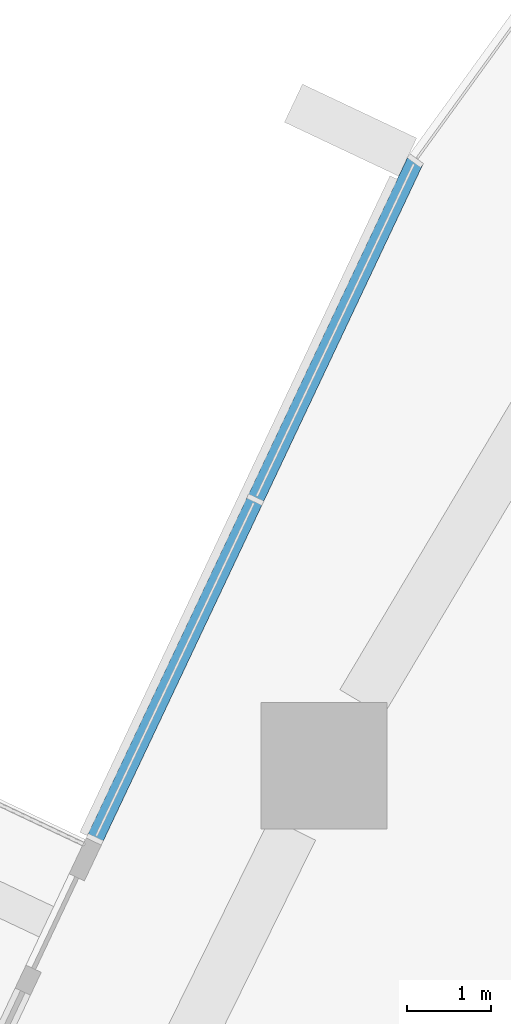
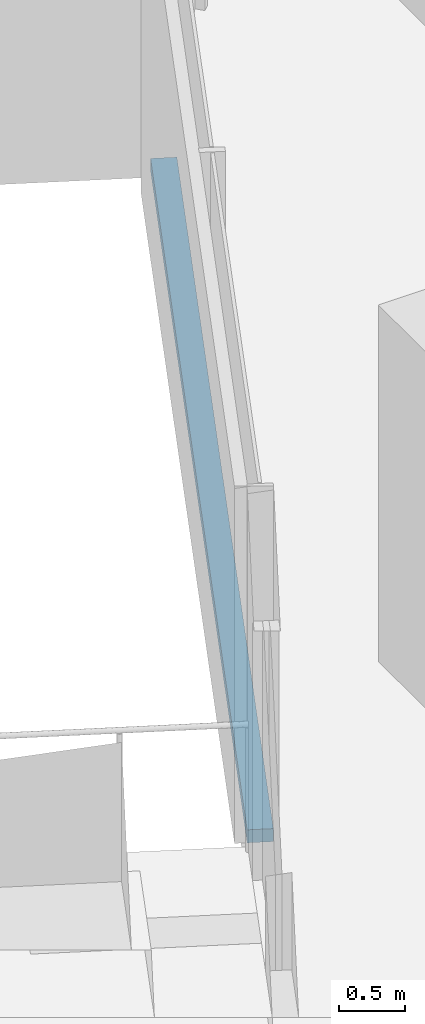
# One storey, part 6 of 25: 1 member, 1 element without a shape of its own.
"""IFC4 building model written with IfcOpenShell, lengths in metres."""

from ifc_helpers import new_model, si_unit, direction, frame, origin, origin_2d, place, context, subcontext, project, spatial, rectangle, extrude, material, layer, layer_set, material_profile, profile_set, type_object, element, aggregate, save


model = new_model("IFC4")

# Units and contexts
model_context = context("Model", 3, precision=1e-05, world=origin(), true_north=direction((0.0, 1.0)))
body_context = subcontext(model_context, "Body", "Model", "MODEL_VIEW")
ifc_project = project(units=[si_unit("LENGTHUNIT", "METRE"), si_unit("AREAUNIT", "SQUARE_METRE"), si_unit("VOLUMEUNIT", "CUBIC_METRE"), si_unit("PLANEANGLEUNIT", "RADIAN"), si_unit("MASSUNIT", "GRAM", prefix="KILO")], contexts=[model_context])

# Site, building, storey
site_placement = place(None, origin())
site = spatial("IfcSite", under=ifc_project, at=site_placement, CompositionType="ELEMENT")
building_placement = place(site_placement, origin())
building = spatial("IfcBuilding", under=site, at=building_placement, Name="Dongbaek Canopy Tower", CompositionType="ELEMENT")
storey_placement = place(building_placement, frame((0.0, 0.0, 77.300048828125)))
storey = spatial("IfcBuildingStorey", under=building, at=storey_placement, Name="L15", CompositionType="ELEMENT", Elevation=77.300048828125)

# Curtain wall, member
ifc_material_1 = material(Name="Aluminium 6063-T6 pale anodised", Category="aluminium")
ifc_layer = layer(ifc_material_1, 0.199951171875)
ifc_layer_set = layer_set([ifc_layer], Name="CW-1 unitised tower curtain wall")
curtain_wall_type = type_object("IfcCurtainWallType", Name="CW-1 unitised tower curtain wall", PredefinedType="NOTDEFINED", material=ifc_layer_set)
curtain_wall_placement = place(storey_placement, origin())
curtain_wall = element("IfcCurtainWall", 1, at=curtain_wall_placement, inside=storey, type_object=curtain_wall_type, Name="CW-1 curtain wall F2.1", PredefinedType="NOTDEFINED")
ifc_material_2 = material(Name="Aluminium 6063-T6 pale anodised", Category="aluminium")
ifc_material_profile = material_profile(ifc_material_2, rectangle(XDim=0.199951171875, YDim=0.1201171875, at=origin_2d()), Name="CW-1 transom 120 x 200")
ifc_profile_set = profile_set([ifc_material_profile], Name="Aluminium 6063-T6 pale anodised")
member_type = type_object("IfcMemberType", Name="CW-1 transom 120 x 200", PredefinedType="USERDEFINED", material=ifc_profile_set)
member_placement = place(storey_placement, frame((-21.5634765625, 31.306640625, 0.06005859375), z_axis=(-0.427158827399, -0.904176606739, 0.0), x_axis=(0.904176606739, -0.427158827399, 0.0)))
member = element("IfcMember", 2, at=member_placement, type_object=member_type, Name="CW-1 transom F2.1.1", ObjectType="TRANSOM", PredefinedType="USERDEFINED", context=body_context, shape_type="SweptSolid", body=[
    extrude(rectangle(XDim=0.199951171875, YDim=0.1201171875, at=origin_2d()), origin(), (0.0, 0.0, 1.0), 8.906982421875),
])
aggregate(curtain_wall, [member])

save(model, "model.ifc")
